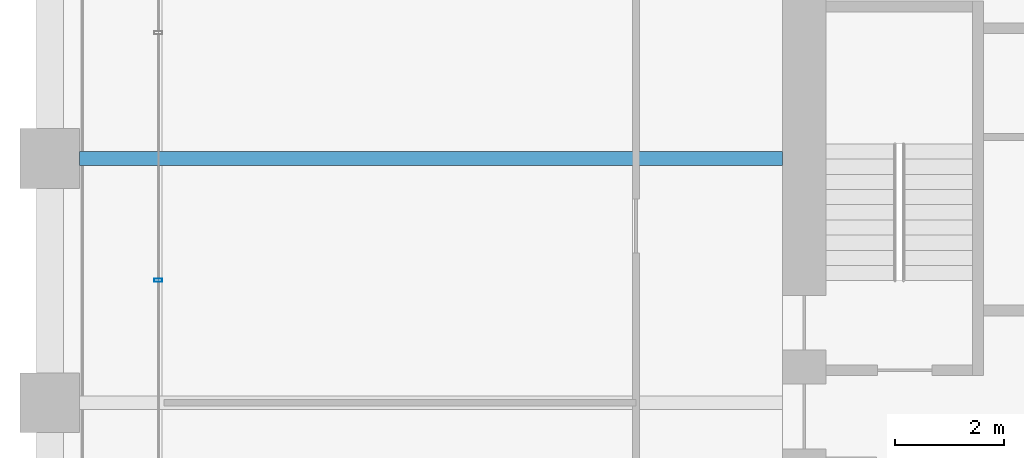
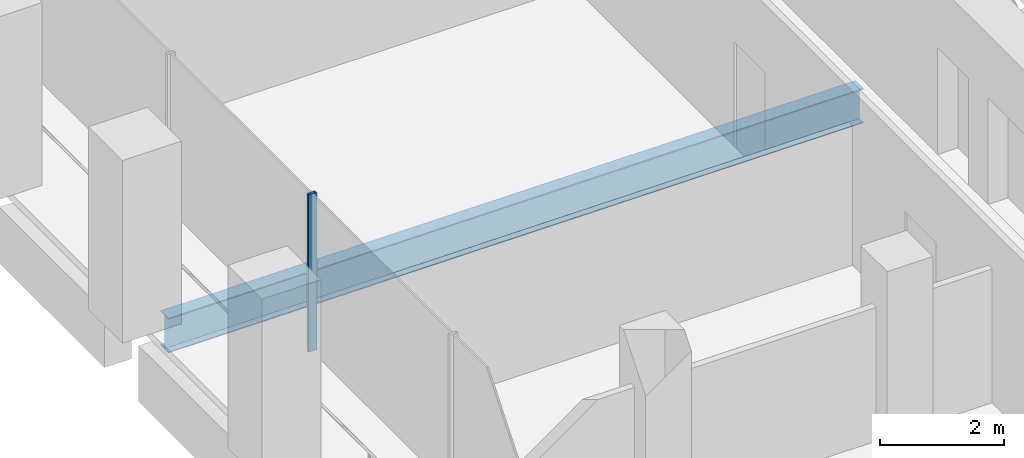
# One storey, part 11 of 56: 1 beam, 1 member, 1 element without a shape of its own.
"""IFC4 building model written with IfcOpenShell, lengths in metres."""

from ifc_helpers import new_model, si_unit, direction, frame, origin, origin_2d, place, context, subcontext, project, spatial, hollow_rectangle, i_section, extrude, material, material_profile, profile_set, type_object, element, aggregate, save


model = new_model("IFC4")

# Units and contexts
model_context = context("Model", 3, precision=1e-05, world=origin(), true_north=direction((0.0, 1.0)))
body_context = subcontext(model_context, "Body", "Model", "MODEL_VIEW")
ifc_project = project(units=[si_unit("LENGTHUNIT", "METRE"), si_unit("AREAUNIT", "SQUARE_METRE"), si_unit("VOLUMEUNIT", "CUBIC_METRE"), si_unit("PLANEANGLEUNIT", "RADIAN"), si_unit("MASSUNIT", "GRAM", prefix="KILO")], contexts=[model_context])

# Site, building, storey
site_placement = place(None, origin())
site = spatial("IfcSite", under=ifc_project, at=site_placement, CompositionType="ELEMENT")
building_placement = place(site_placement, origin())
building = spatial("IfcBuilding", under=site, at=building_placement, Name="Altepetl Exchange Towers", CompositionType="ELEMENT")
storey_placement = place(building_placement, frame((0.0, 0.0, 54.60009765625)))
storey = spatial("IfcBuildingStorey", under=building, at=storey_placement, Name="L12", CompositionType="ELEMENT", Elevation=54.60009765625)

# Beam
ifc_material_1 = material(Name="Steel S355", Category="steel")
ifc_material_profile_1 = material_profile(ifc_material_1, i_section(OverallWidth=0.25390625, OverallDepth=0.68408203125, WebThickness=0.012451171875, FlangeThickness=0.018798828125, at=origin_2d()), Name="W27X94")
ifc_profile_set_1 = profile_set([ifc_material_profile_1], Name="Steel S355")
beam_type = type_object("IfcBeamType", Name="Floor beam W27X94", PredefinedType="BEAM", material=ifc_profile_set_1)
beam_placement = place(storey_placement, frame((27.550048828125, 49.5, -0.4921875), z_axis=(1.0, 0.0, 0.0), x_axis=(0.0, 1.0, 0.0)))
element("IfcBeam", 1, at=beam_placement, inside=storey, type_object=beam_type, Name="bm:A:L12:019", PredefinedType="BEAM", context=body_context, shape_type="SweptSolid", body=[
    extrude(i_section(OverallWidth=0.25390625, OverallDepth=0.68408203125, WebThickness=0.012451171875, FlangeThickness=0.018798828125, at=origin_2d()), origin(), (0.0, 0.0, 1.0), 12.949951171875),
])

# Curtain wall, member
ifc_material_2 = material(Name="Aluminium 6063-T6 glazing", Category="aluminium")
curtain_wall_type = type_object("IfcCurtainWallType", Name="Loggia glazing system", PredefinedType="NOTDEFINED", material=ifc_material_2)
curtain_wall_placement = place(storey_placement, origin())
curtain_wall = element("IfcCurtainWall", 2, at=curtain_wall_placement, inside=storey, type_object=curtain_wall_type, Name="CW1 run", PredefinedType="NOTDEFINED")
ifc_material_3 = material(Name="Aluminium 6063-T6", Category="aluminium")
ifc_material_profile_2 = material_profile(ifc_material_3, hollow_rectangle(XDim=0.06005859375, YDim=0.14990234375, WallThickness=0.0029296875, at=origin_2d()), Name="Mullion 60x150 aluminium")
ifc_profile_set_2 = profile_set([ifc_material_profile_2], Name="Aluminium 6063-T6")
member_type = type_object("IfcMemberType", Name="Mullion 60x150 aluminium", PredefinedType="MULLION", material=ifc_profile_set_2)
member_placement = place(storey_placement, frame((29.0, 47.257080078125, 0.0), z_axis=(0.0, 0.0, 1.0), x_axis=(0.0, -1.0, 0.0)))
member = element("IfcMember", 3, at=member_placement, type_object=member_type, Name="MU1 mullion", PredefinedType="MULLION", context=body_context, shape_type="SweptSolid", body=[
    extrude(hollow_rectangle(XDim=0.06005859375, YDim=0.14990234375, WallThickness=0.0029296875, at=origin_2d()), origin(), (0.0, 0.0, 1.0), 3.099853515625),
])
aggregate(curtain_wall, [member])

save(model, "model.ifc")
